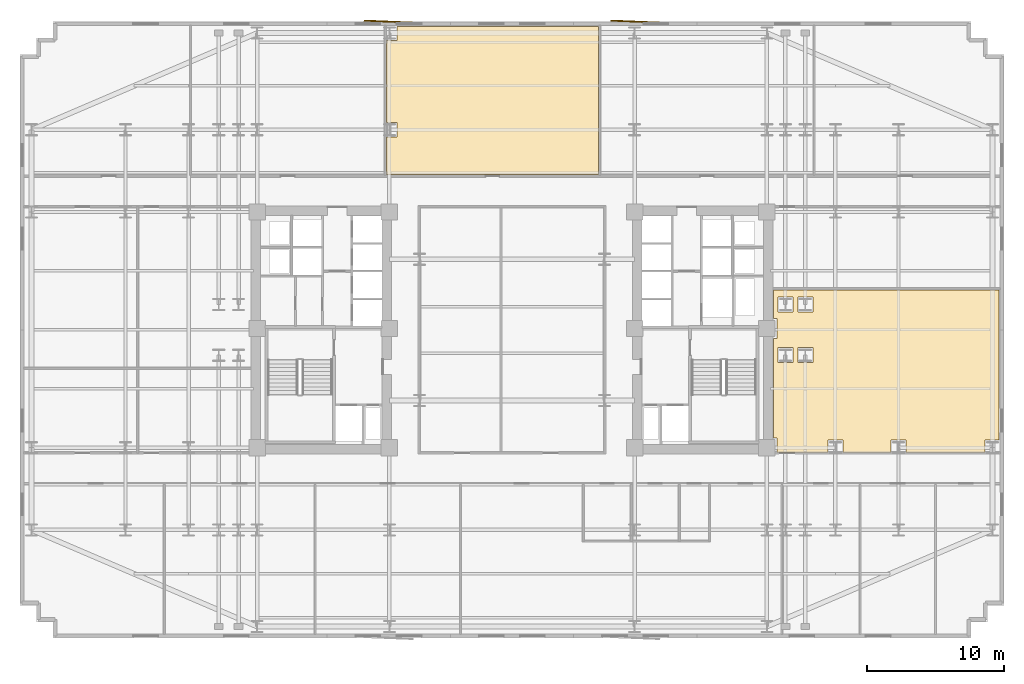
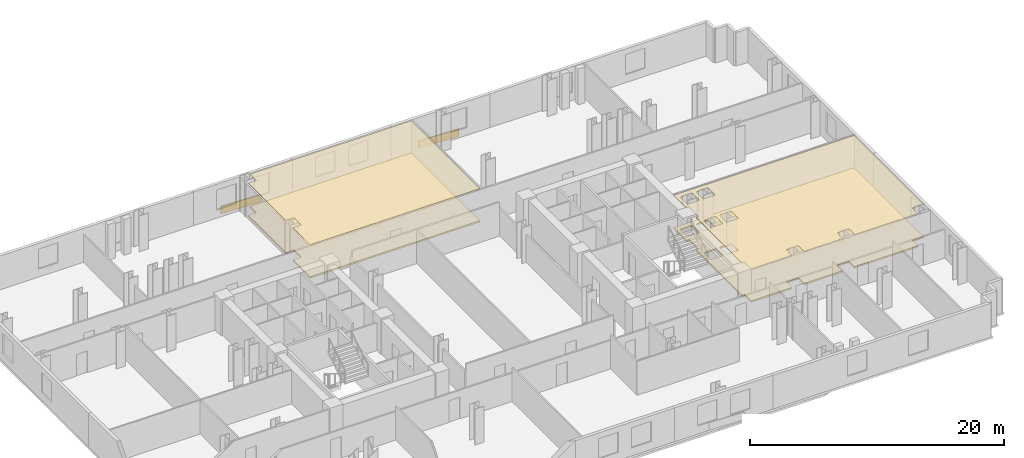
# One storey, part 10 of 10: 6 coverings.
"""IFC4 building model written with IfcOpenShell, lengths in metres."""

from ifc_helpers import new_model, si_unit, direction, frame, origin, origin_2d, place, context, subcontext, project, spatial, polyline, rectangle, outline, extrude, material, layer, layer_set, type_object, element, save


model = new_model("IFC4")

# Units and contexts
model_context = context("Model", 3, precision=1e-05, world=origin(), true_north=direction((0.0, 1.0)))
body_context = subcontext(model_context, "Body", "Model", "MODEL_VIEW")
ifc_project = project(units=[si_unit("LENGTHUNIT", "METRE"), si_unit("AREAUNIT", "SQUARE_METRE"), si_unit("VOLUMEUNIT", "CUBIC_METRE"), si_unit("PLANEANGLEUNIT", "RADIAN"), si_unit("MASSUNIT", "GRAM", prefix="KILO")], contexts=[model_context])

# Site, building, storey
site_placement = place(None, origin())
site = spatial("IfcSite", under=ifc_project, at=site_placement, CompositionType="ELEMENT")
building_placement = place(site_placement, origin())
building = spatial("IfcBuilding", under=site, at=building_placement, Name="Velakula Bourse", CompositionType="ELEMENT")
storey_placement = place(building_placement, frame((0.0, 0.0, 41.550048828125)))
storey = spatial("IfcBuildingStorey", under=building, at=storey_placement, Name="L10", CompositionType="ELEMENT", Elevation=41.550048828125)

# Coverings
ifc_material_1 = material(Name="Red kilned clay facing brick masonry", Category="masonry")
ifc_layer_1 = layer(ifc_material_1, 0.090087890625, Name="Red kilned clay facing brick masonry", Category="masonry")
ifc_layer_set_1 = layer_set([ifc_layer_1], Name="Red kilned clay facing brick masonry")
covering_type_1 = type_object("IfcCoveringType", Name="COV-BRK-FOLD-90", PredefinedType="CLADDING", material=ifc_layer_set_1)
for number, where, z_axis, x_axis, name in (
    (1, (-9.0, 22.489990234375, 0.0), (0.0, 0.0, 1.0), (0.999158993058, -0.041003738744, 0.0), "L10 Folded Brick Facade Cladding Panel N-B2"),
    (2, (9.0, 22.489990234375, 0.0), (0.0, 0.0, 1.0), (0.999158993058, -0.041003738744, 0.0), "L10 Folded Brick Facade Cladding Panel N-B4"),
):
    element("IfcCovering", number, at=place(storey_placement, frame(where, z_axis=z_axis, x_axis=x_axis)), inside=storey, type_object=covering_type_1, Name=name, PredefinedType="CLADDING", context=body_context, shape_type="SweptSolid", body=[
        extrude(rectangle(XDim=3.60009765625, YDim=0.090087890625, at=origin_2d()), origin(), (0.0, 0.0, 1.0), 0.719970703125),
    ])
ifc_material_2 = material(Name="Mineral-fibre acoustic suspended ceiling tile", Category="mineral")
ifc_layer_2 = layer(ifc_material_2, 0.0400390625, Name="Mineral-fibre acoustic suspended ceiling tile", Category="mineral")
ifc_layer_set_2 = layer_set([ifc_layer_2], Name="Mineral-fibre acoustic suspended ceiling tile")
covering_type_2 = type_object("IfcCoveringType", Name="COV-CEIL-AC-40", PredefinedType="CEILING", material=ifc_layer_set_2)
covering_1_placement = place(storey_placement, frame((0.0, 0.0, 3.199951171875)))
element("IfcCovering", 3, at=covering_1_placement, inside=storey, type_object=covering_type_2, Name="L10 ESG Rating Analytics Workspace Acoustic Suspended Ceiling", PredefinedType="CEILING", context=body_context, shape_type="SweptSolid", body=[
    extrude(outline(polyline([(19.090087890625, -0.6201171875), (19.320068359375, -0.6201171875), (19.320068359375, 0.820068359375), (19.090087890625, 0.820068359375), (19.090087890625, 2.89990234375), (35.52001953125, 2.89990234375), (35.52001953125, -8.054931640625), (34.5048828125, -8.054931640625), (34.5048828125, -8.93994140625), (28.7451171875, -8.93994140625), (28.7451171875, -8.054931640625), (27.655029296875, -8.054931640625), (27.655029296875, -8.93994140625), (24.14501953125, -8.93994140625), (24.14501953125, -8.054931640625), (23.054931640625, -8.054931640625), (23.054931640625, -8.93994140625), (19.320068359375, -8.93994140625), (19.320068359375, -7.8798828125), (19.090087890625, -7.8798828125), (19.090087890625, -0.6201171875)]), holes=[polyline([(19.405029296875, -2.39501953125), (20.4951171875, -2.39501953125), (20.4951171875, -1.304931640625), (19.405029296875, -1.304931640625), (19.405029296875, -2.39501953125)]), polyline([(20.85498046875, -2.39501953125), (21.945068359375, -2.39501953125), (21.945068359375, -1.304931640625), (20.85498046875, -1.304931640625), (20.85498046875, -2.39501953125)]), polyline([(19.405029296875, 1.304931640625), (20.4951171875, 1.304931640625), (20.4951171875, 2.39501953125), (19.405029296875, 2.39501953125), (19.405029296875, 1.304931640625)]), polyline([(20.85498046875, 2.39501953125), (20.85498046875, 1.304931640625), (21.945068359375, 1.304931640625), (21.945068359375, 2.39501953125), (20.85498046875, 2.39501953125)])]), origin(), (0.0, 0.0, 1.0), 0.0400390625),
])
covering_2_placement = place(storey_placement, frame((0.0, 0.0, 3.199951171875)))
element("IfcCovering", 4, at=covering_2_placement, inside=storey, type_object=covering_type_2, Name="L10 Catering Servery Pantry Acoustic Suspended Ceiling", PredefinedType="CEILING", context=body_context, shape_type="SweptSolid", body=[
    extrude(outline(polyline([(6.301025390625, 22.1201171875), (6.301025390625, 11.330078125), (-9.14599609375, 11.330078125), (-9.14599609375, 14.054931640625), (-8.405029296875, 14.054931640625), (-8.405029296875, 15.14501953125), (-9.14599609375, 15.14501953125), (-9.14599609375, 21.10498046875), (-8.405029296875, 21.10498046875), (-8.405029296875, 22.1201171875), (6.301025390625, 22.1201171875)])), origin(), (0.0, 0.0, 1.0), 0.0400390625),
])
ifc_material_3 = material(Name="Calcium-sulphate antistatic raised access flooring", Category="gypsum")
ifc_layer_3 = layer(ifc_material_3, 0.14990234375, Name="Calcium-sulphate antistatic raised access flooring", Category="gypsum")
ifc_layer_set_3 = layer_set([ifc_layer_3], Name="Calcium-sulphate antistatic raised access flooring")
covering_type_3 = type_object("IfcCoveringType", Name="COV-FLR-RAISED-150", PredefinedType="FLOORING", material=ifc_layer_set_3)
covering_3_placement = place(storey_placement, origin())
element("IfcCovering", 5, at=covering_3_placement, inside=storey, type_object=covering_type_3, Name="L10 ESG Rating Analytics Workspace Raised Trading Access Floor", PredefinedType="FLOORING", context=body_context, shape_type="SweptSolid", body=[
    extrude(outline(polyline([(19.090087890625, -0.6201171875), (19.320068359375, -0.6201171875), (19.320068359375, 0.820068359375), (19.090087890625, 0.820068359375), (19.090087890625, 2.89990234375), (35.52001953125, 2.89990234375), (35.52001953125, -8.054931640625), (34.5048828125, -8.054931640625), (34.5048828125, -8.93994140625), (28.7451171875, -8.93994140625), (28.7451171875, -8.054931640625), (27.655029296875, -8.054931640625), (27.655029296875, -8.93994140625), (24.14501953125, -8.93994140625), (24.14501953125, -8.054931640625), (23.054931640625, -8.054931640625), (23.054931640625, -8.93994140625), (19.320068359375, -8.93994140625), (19.320068359375, -7.8798828125), (19.090087890625, -7.8798828125), (19.090087890625, -0.6201171875)]), holes=[polyline([(19.405029296875, -2.39501953125), (20.4951171875, -2.39501953125), (20.4951171875, -1.304931640625), (19.405029296875, -1.304931640625), (19.405029296875, -2.39501953125)]), polyline([(20.85498046875, -2.39501953125), (21.945068359375, -2.39501953125), (21.945068359375, -1.304931640625), (20.85498046875, -1.304931640625), (20.85498046875, -2.39501953125)]), polyline([(19.405029296875, 1.304931640625), (20.4951171875, 1.304931640625), (20.4951171875, 2.39501953125), (19.405029296875, 2.39501953125), (19.405029296875, 1.304931640625)]), polyline([(20.85498046875, 2.39501953125), (20.85498046875, 1.304931640625), (21.945068359375, 1.304931640625), (21.945068359375, 2.39501953125), (20.85498046875, 2.39501953125)])]), origin(), (0.0, 0.0, 1.0), 0.14990234375),
])
covering_4_placement = place(storey_placement, origin())
element("IfcCovering", 6, at=covering_4_placement, inside=storey, type_object=covering_type_3, Name="L10 Catering Servery Pantry Raised Trading Access Floor", PredefinedType="FLOORING", context=body_context, shape_type="SweptSolid", body=[
    extrude(outline(polyline([(6.301025390625, 22.1201171875), (6.301025390625, 11.330078125), (-9.14599609375, 11.330078125), (-9.14599609375, 14.054931640625), (-8.405029296875, 14.054931640625), (-8.405029296875, 15.14501953125), (-9.14599609375, 15.14501953125), (-9.14599609375, 21.10498046875), (-8.405029296875, 21.10498046875), (-8.405029296875, 22.1201171875), (6.301025390625, 22.1201171875)])), origin(), (0.0, 0.0, 1.0), 0.14990234375),
])

save(model, "model.ifc")
